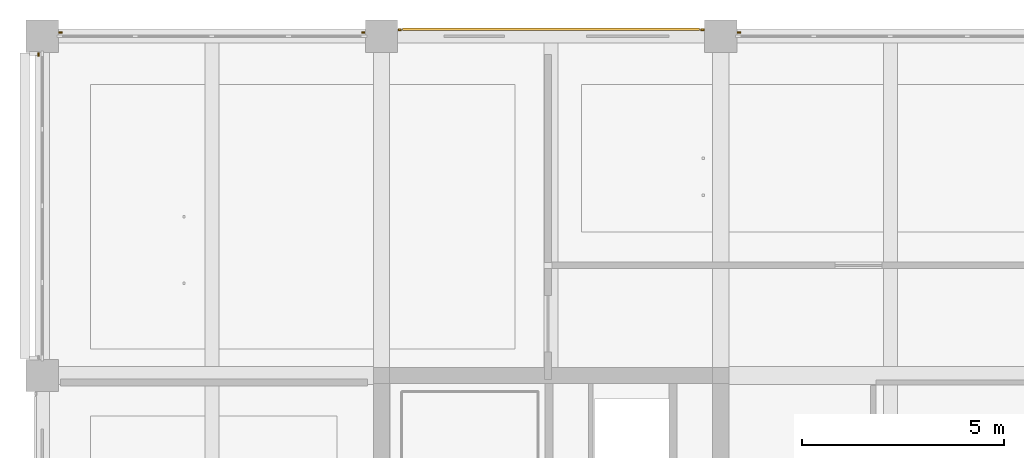
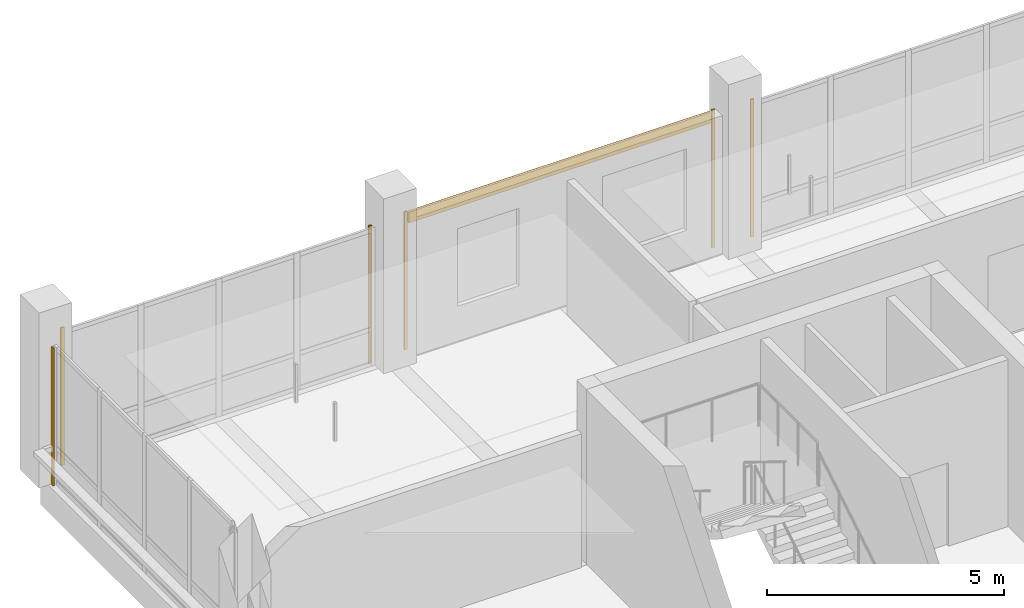
# One storey, part 32 of 34: 7 coverings.
"""IFC4 building model written with IfcOpenShell, lengths in metres."""

from ifc_helpers import new_model, si_unit, direction, frame, origin, origin_2d, place, context, subcontext, project, spatial, rectangle, extrude, material, layer, layer_set, type_object, element, save


model = new_model("IFC4")

# Units and contexts
model_context = context("Model", 3, precision=1e-05, world=origin(), true_north=direction((0.0, 1.0)))
body_context = subcontext(model_context, "Body", "Model", "MODEL_VIEW")
ifc_project = project(units=[si_unit("LENGTHUNIT", "METRE"), si_unit("AREAUNIT", "SQUARE_METRE"), si_unit("VOLUMEUNIT", "CUBIC_METRE"), si_unit("PLANEANGLEUNIT", "RADIAN"), si_unit("MASSUNIT", "GRAM", prefix="KILO")], contexts=[model_context])

# Site, building, storey
site_placement = place(None, origin())
site = spatial("IfcSite", under=ifc_project, at=site_placement, CompositionType="ELEMENT")
building_placement = place(site_placement, origin())
building = spatial("IfcBuilding", under=site, at=building_placement, Name="Telukmera Botanical Conservatory", CompositionType="ELEMENT")
storey_placement = place(building_placement, frame((0.0, 0.0, 37.5)))
storey = spatial("IfcBuildingStorey", under=building, at=storey_placement, Name="L08", CompositionType="ELEMENT", Elevation=37.5)

# Coverings
ifc_material_1 = material(Name="Granite-faced precast concrete C40/50", Category="masonry")
ifc_layer_1 = layer(ifc_material_1, 0.0400390625)
ifc_layer_set_1 = layer_set([ifc_layer_1], Name="Granite-faced precast concrete C40/50")
covering_type_1 = type_object("IfcCoveringType", Name="Granite Precast Column Pier Reveal Casing", PredefinedType="CLADDING", material=ifc_layer_set_1)
for number, where, z_axis, x_axis, name in (
    (1, (50.85205078125, 42.889892578125, 0.0), (0.0, 0.0, 1.0), (1.0, 0.0, 0.0), "Granite Pier Reveal V4:L08:N1 L"),
    (2, (58.347900390625, 42.889892578125, 0.0), (0.0, 0.0, 1.0), (1.0, 0.0, 0.0), "Granite Pier Reveal V4:L08:N1 R"),
    (3, (59.251953125, 42.9599609375, 0.0), (0.0, 0.0, 1.0), (1.0, 0.0, 0.0), "Granite Pier Reveal V4:L08:N2 L"),
    (4, (66.748046875, 42.9599609375, 0.0), (0.0, 0.0, 1.0), (1.0, 0.0, 0.0), "Granite Pier Reveal V4:L08:N2 R"),
    (5, (67.652099609375, 42.889892578125, 0.0), (0.0, 0.0, 1.0), (1.0, 0.0, 0.0), "Granite Pier Reveal V4:L08:N3 L"),
    (6, (50.31005859375, 42.347900390625, 0.0), (0.0, 0.0, 1.0), (0.0, 1.0, 0.0), "Granite Pier Reveal V4:L08:W4 R"),
):
    element("IfcCovering", number, at=place(storey_placement, frame(where, z_axis=z_axis, x_axis=x_axis)), inside=storey, type_object=covering_type_1, Name=name, PredefinedType="CLADDING", context=body_context, shape_type="SweptSolid", body=[
        extrude(rectangle(XDim=0.080078125, YDim=0.0400390625, at=origin_2d()), origin(), (0.0, 0.0, 1.0), 3.550048828125),
    ])
ifc_material_2 = material(Name="Terracotta-faced precast concrete C40/50", Category="masonry")
ifc_layer_2 = layer(ifc_material_2, 0.06005859375)
ifc_layer_set_2 = layer_set([ifc_layer_2], Name="Terracotta-faced precast concrete C40/50")
covering_type_2 = type_object("IfcCoveringType", Name="Polychrome Terracotta Facade Band Cladding", PredefinedType="CLADDING", material=ifc_layer_set_2)
covering_placement = place(storey_placement, frame((63.0, 42.969970703125, 3.22998046875), z_axis=(0.0, 0.0, 1.0), x_axis=(1.0, 0.0, 0.0)))
element("IfcCovering", 7, at=covering_placement, inside=storey, type_object=covering_type_2, Name="Polychrome Terracotta Band V4:L08:N2", PredefinedType="CLADDING", context=body_context, shape_type="SweptSolid", body=[
    extrude(rectangle(XDim=7.35595703125, YDim=0.06005859375, at=origin_2d()), origin(), (0.0, 0.0, 1.0), 0.280029296875),
])

save(model, "model.ifc")
